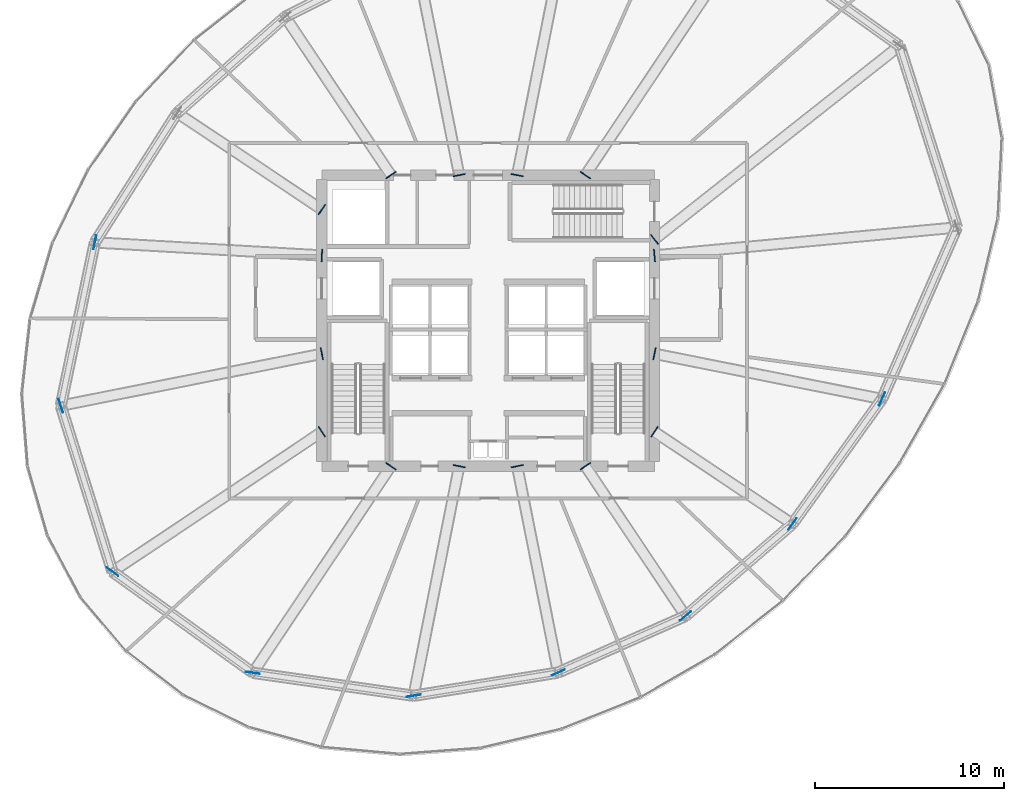
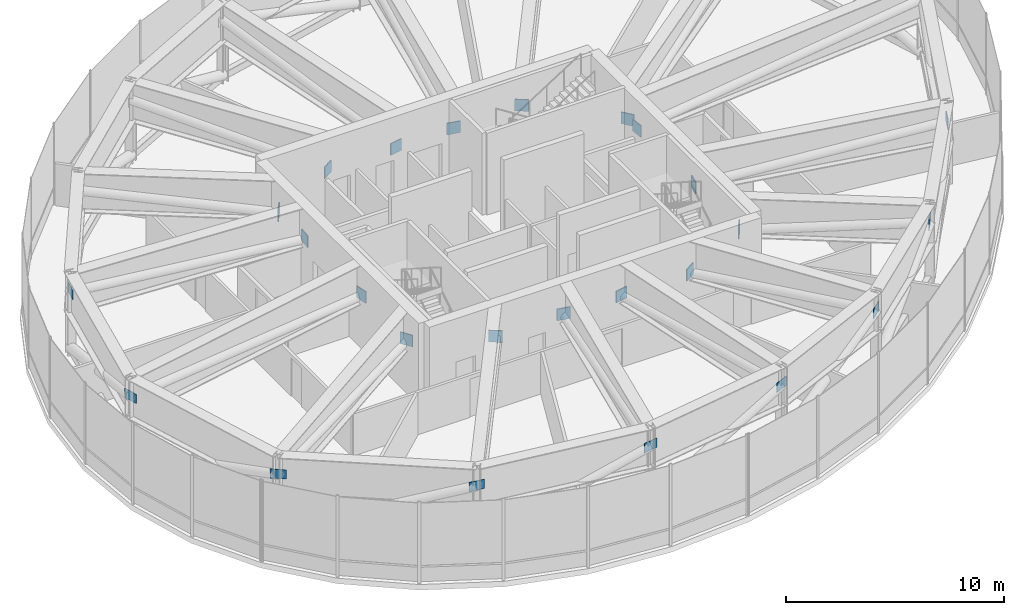
# One storey, part 25 of 30: 25 plates.
"""IFC4 building model written with IfcOpenShell, lengths in metres."""

from ifc_helpers import new_model, si_unit, direction, frame, origin, origin_2d, place, context, subcontext, project, spatial, rectangle, extrude, source, transform, mapped, material, layer, layer_set, type_object, element, save


model = new_model("IFC4")

# Units and contexts
model_context = context("Model", 3, precision=1e-05, world=origin(), true_north=direction((0.0, 1.0)))
body_context = subcontext(model_context, "Body", "Model", "MODEL_VIEW")
ifc_project = project(units=[si_unit("LENGTHUNIT", "METRE"), si_unit("AREAUNIT", "SQUARE_METRE"), si_unit("VOLUMEUNIT", "CUBIC_METRE"), si_unit("PLANEANGLEUNIT", "RADIAN"), si_unit("MASSUNIT", "GRAM", prefix="KILO"), si_unit("THERMODYNAMICTEMPERATUREUNIT", "KELVIN")], contexts=[model_context])

# Site, building, storey
site_placement = place(None, origin())
site = spatial("IfcSite", under=ifc_project, at=site_placement, CompositionType="ELEMENT")
building_placement = place(site_placement, origin())
building = spatial("IfcBuilding", under=site, at=building_placement, Name="Kethvar Cultural Tower", CompositionType="ELEMENT")
storey_placement = place(building_placement, frame((0.0, 0.0, 171.39990234375)))
storey = spatial("IfcBuildingStorey", under=building, at=storey_placement, Name="L44", CompositionType="ELEMENT", Elevation=171.39990234375)

# Plates
ifc_material_1 = material(Name="Steel S460M", Category="steel")
ifc_layer_1 = layer(ifc_material_1, 0.054931640625, Name="Steel S460M", Category="steel")
ifc_layer_set_1 = layer_set([ifc_layer_1], Name="Steel S460M (55 mm)")
plate_type_1 = type_object("IfcPlateType", Name="PL-EMBED-CORE", PredefinedType="SHEET", material=ifc_layer_set_1)
shared_shape_1 = source(origin(), body_context, "Body", "SweptSolid", [
    extrude(rectangle(XDim=0.054931640625, YDim=0.64990234375, at=origin_2d()), origin(), (0.0, 0.0, 1.0), 0.64990234375),
])
for number, where, z_axis, x_axis, name in (
    (1, (55.60009765625, 31.25, 2.3251953125), (0.0, 0.0, 1.0), (0.995724698185, 0.092370587447, 0.0), "L44 Outrigger Core Wall Cast-In Embed Plate EP-01"),
    (2, (55.60009765625, 32.10009765625, 2.3251953125), (0.0, 0.0, 1.0), (0.784668186733, 0.61991599167, 0.0), "L44 Outrigger Core Wall Cast-In Embed Plate EP-02"),
    (3, (51.945068359375, 35.5, 2.3251953125), (0.0, 0.0, 1.0), (0.55557023302, 0.831469612303, 0.0), "L44 Outrigger Core Wall Cast-In Embed Plate EP-03"),
    (4, (48.33154296875, 35.5, 2.3251953125), (0.0, 0.0, 1.0), (0.195090322016, 0.980785280403, 0.0), "L44 Outrigger Core Wall Cast-In Embed Plate EP-04"),
    (5, (45.268310546875, 35.5, 2.3251953125), (0.0, 0.0, 1.0), (-0.195090322016, 0.980785280403, 0.0), "L44 Outrigger Core Wall Cast-In Embed Plate EP-05"),
    (6, (41.655029296875, 35.5, 2.3251953125), (0.0, 0.0, 1.0), (-0.55557023302, 0.831469612303, 0.0), "L44 Outrigger Core Wall Cast-In Embed Plate EP-06"),
    (7, (38.0, 33.679931640625, 2.3251953125), (0.0, 0.0, 1.0), (-0.831469612303, 0.55557023302, 0.0), "L44 Outrigger Core Wall Cast-In Embed Plate EP-07"),
    (8, (38.0, 31.25, 2.3251953125), (0.0, 0.0, 1.0), (-0.998351848226, 0.057389782566, 0.0), "L44 Outrigger Core Wall Cast-In Embed Plate EP-08"),
    (9, (38.0, 26.049560546875, 2.3251953125), (0.0, 0.0, 1.0), (-0.980785280403, -0.195090322016, 0.0), "L44 Outrigger Core Wall Cast-In Embed Plate EP-09"),
    (10, (38.0, 21.919921875, 2.3251953125), (0.0, 0.0, 1.0), (-0.831469612303, -0.55557023302, 0.0), "L44 Outrigger Core Wall Cast-In Embed Plate EP-10"),
    (11, (41.655029296875, 20.10009765625, 2.3251953125), (0.0, 0.0, 1.0), (-0.55557023302, -0.831469612303, 0.0), "L44 Outrigger Core Wall Cast-In Embed Plate EP-11"),
    (12, (45.268310546875, 20.10009765625, 2.3251953125), (0.0, 0.0, 1.0), (-0.195090322016, -0.980785280403, 0.0), "L44 Outrigger Core Wall Cast-In Embed Plate EP-12"),
    (13, (48.33154296875, 20.10009765625, 2.3251953125), (0.0, 0.0, 1.0), (0.195090322016, -0.980785280403, 0.0), "L44 Outrigger Core Wall Cast-In Embed Plate EP-13"),
    (14, (51.945068359375, 20.10009765625, 2.3251953125), (0.0, 0.0, 1.0), (0.55557023302, -0.831469612303, 0.0), "L44 Outrigger Core Wall Cast-In Embed Plate EP-14"),
    (15, (55.60009765625, 21.919921875, 2.3251953125), (0.0, 0.0, 1.0), (0.831469612303, -0.55557023302, 0.0), "L44 Outrigger Core Wall Cast-In Embed Plate EP-15"),
    (16, (55.60009765625, 26.049560546875, 2.3251953125), (0.0, 0.0, 1.0), (0.980785280403, -0.195090322016, 0.0), "L44 Outrigger Core Wall Cast-In Embed Plate EP-16"),
):
    element("IfcPlate", number, at=place(storey_placement, frame(where, z_axis=z_axis, x_axis=x_axis)), inside=storey, type_object=plate_type_1, Name=name, PredefinedType="SHEET", context=body_context, shape_type="MappedRepresentation", body=[
        mapped(shared_shape_1, transform((0.0, 0.0, 0.0), scale=1.0)),
    ])
ifc_material_2 = material(Name="Steel S355J2", Category="steel")
ifc_layer_2 = layer(ifc_material_2, 0.031982421875, Name="Steel S355J2", Category="steel")
ifc_layer_set_2 = layer_set([ifc_layer_2], Name="Steel S355J2 (32 mm)")
plate_type_2 = type_object("IfcPlateType", Name="PL-GUSSET-750", PredefinedType="USERDEFINED", material=ifc_layer_set_2)
shared_shape_2 = source(origin(), body_context, "Body", "SweptSolid", [
    extrude(rectangle(XDim=0.75, YDim=0.031982421875, at=origin_2d()), origin(), (0.0, 0.0, 1.0), 0.52001953125),
])
for number, where, z_axis, x_axis, name in (
    (17, (25.988525390625, 31.939697265625, 3.218017578125), (0.0, 0.0, 1.0), (-0.204336186981, -0.978900772648, 0.0), "L44 Belt-Truss Node Gusset Plate GP-08"),
    (18, (24.185302734375, 23.3017578125, 3.218017578125), (0.0, 0.0, 1.0), (0.297295788345, -0.954785428373, 0.0), "L44 Belt-Truss Node Gusset Plate GP-09"),
    (19, (26.920654296875, 14.51708984375, 3.218017578125), (0.0, 0.0, 1.0), (0.811589862078, -0.584227606137, 0.0), "L44 Belt-Truss Node Gusset Plate GP-10"),
    (20, (34.350830078125, 9.16845703125, 3.218017578125), (0.0, 0.0, 1.0), (0.989941340998, -0.141478413134, 0.0), "L44 Belt-Truss Node Gusset Plate GP-11"),
    (21, (42.852294921875, 7.95361328125, 3.218017578125), (0.0, 0.0, 1.0), (0.987347045399, 0.158574310475, 0.0), "L44 Belt-Truss Node Gusset Plate GP-12"),
    (22, (50.50341796875, 9.182373046875, 3.218017578125), (0.0, 0.0, 1.0), (0.914056937231, 0.405585891643, 0.0), "L44 Belt-Truss Node Gusset Plate GP-13"),
    (23, (57.241943359375, 12.17236328125, 3.218017578125), (0.0, 0.0, 1.0), (0.757779474248, 0.652510741987, 0.0), "L44 Belt-Truss Node Gusset Plate GP-14"),
    (24, (62.898681640625, 17.043212890625, 3.218017578125), (0.0, 0.0, 1.0), (0.582658208846, 0.812717301197, 0.0), "L44 Belt-Truss Node Gusset Plate GP-15"),
    (25, (67.638671875, 23.65478515625, 3.218017578125), (0.0, 0.0, 1.0), (0.400133474231, 0.91645687449, 0.0), "L44 Belt-Truss Node Gusset Plate GP-16"),
):
    element("IfcPlate", number, at=place(storey_placement, frame(where, z_axis=z_axis, x_axis=x_axis)), inside=storey, type_object=plate_type_2, Name=name, ObjectType="GUSSET_PLATE", PredefinedType="USERDEFINED", context=body_context, shape_type="MappedRepresentation", body=[
        mapped(shared_shape_2, transform((0.0, 0.0, 0.0), scale=1.0)),
    ])

save(model, "model.ifc")
